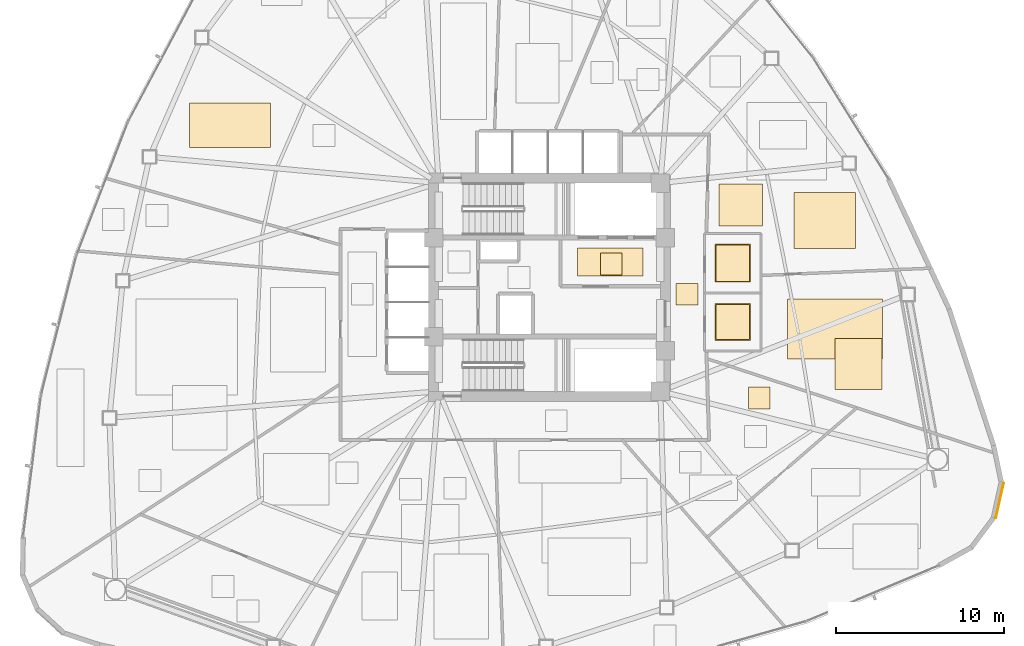
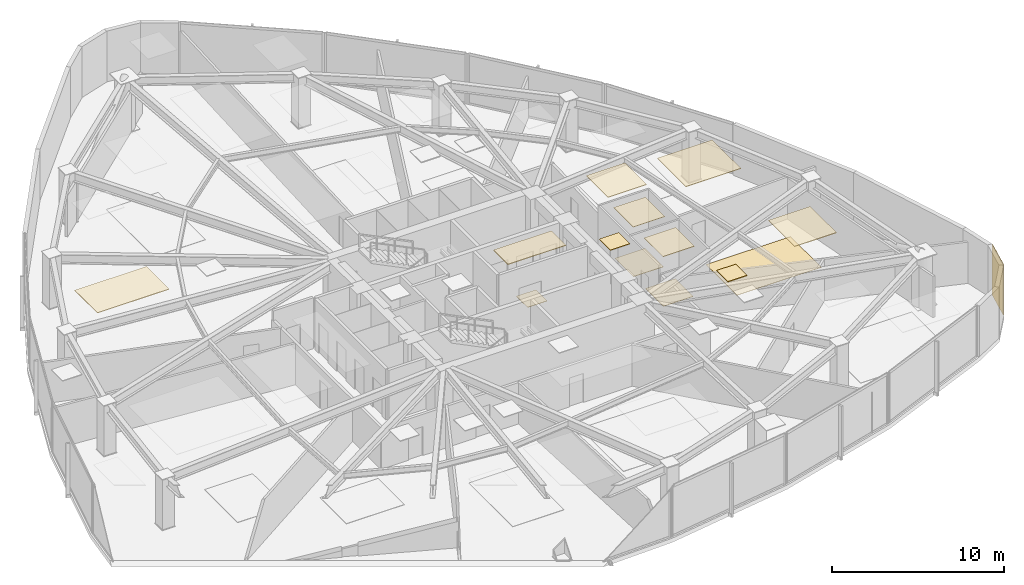
# One storey, part 17 of 18: 14 coverings.
"""IFC4 building model written with IfcOpenShell, lengths in metres."""

from ifc_helpers import new_model, si_unit, direction, frame, origin, origin_2d, place, context, subcontext, project, spatial, polyline, rectangle, outline, extrude, material, layer, layer_set, type_object, element, save


model = new_model("IFC4")

# Units and contexts
model_context = context("Model", 3, precision=1e-05, world=origin(), true_north=direction((0.0, 1.0)))
body_context = subcontext(model_context, "Body", "Model", "MODEL_VIEW")
ifc_project = project(units=[si_unit("LENGTHUNIT", "METRE"), si_unit("AREAUNIT", "SQUARE_METRE"), si_unit("VOLUMEUNIT", "CUBIC_METRE"), si_unit("PLANEANGLEUNIT", "RADIAN"), si_unit("MASSUNIT", "GRAM", prefix="KILO")], contexts=[model_context])

# Site, building, storey
site_placement = place(None, origin())
site = spatial("IfcSite", under=ifc_project, at=site_placement, CompositionType="ELEMENT")
building_placement = place(site_placement, origin())
building = spatial("IfcBuilding", under=site, at=building_placement, Name="Tavelor Broadcast Tower", CompositionType="ELEMENT")
storey_placement = place(building_placement, frame((0.0, 0.0, 47.10009765625)))
storey = spatial("IfcBuildingStorey", under=building, at=storey_placement, Name="L10", CompositionType="ELEMENT", Elevation=47.10009765625)

# Coverings
ifc_material_1 = material(Name="Copper-Bronze Anodized Aluminium", Category="aluminium")
ifc_layer_1 = layer(ifc_material_1, 0.044921875)
ifc_layer_set_1 = layer_set([ifc_layer_1], Name="Copper-Bronze Anodized Aluminium")
covering_type_1 = type_object("IfcCoveringType", Name="Anodised Bronze Linear Slatted Concourse Ceiling 45 mm", PredefinedType="CEILING", material=ifc_layer_set_1)
covering_1_placement = place(storey_placement, frame((0.0, 0.0, 3.554931640625)))
element("IfcCovering", 1, at=covering_1_placement, inside=storey, type_object=covering_type_1, Name="L10 Suspended Acoustic Ceiling 0343", PredefinedType="CEILING", context=body_context, shape_type="SweptSolid", body=[
    extrude(outline(polyline([(51.659912109375, 45.654296875), (55.55712890625, 45.654296875), (55.55712890625, 47.331787109375), (51.659912109375, 47.331787109375), (51.659912109375, 45.654296875)])), origin(), (0.0, 0.0, 1.0), 0.044921875),
])
ifc_layer_2 = layer(ifc_material_1, 0.050048828125)
ifc_layer_set_2 = layer_set([ifc_layer_2], Name="Copper-Bronze Anodized Aluminium")
covering_type_2 = type_object("IfcCoveringType", Name="Champagne-Bronze Corner Pier Metal Cladding 50 mm", PredefinedType="CLADDING", material=ifc_layer_set_2)
covering_2_placement = place(storey_placement, frame((76.8037109375, 32.2900390625, 0.019775390625), z_axis=(0.0, 0.0, 1.0), x_axis=(0.215587552642, 0.976484514545, 0.0)))
element("IfcCovering", 2, at=covering_2_placement, inside=storey, type_object=covering_type_2, Name="L10 Champagne-Bronze Corner Cladding 23", PredefinedType="CLADDING", context=body_context, shape_type="SweptSolid", body=[
    extrude(rectangle(XDim=2.15087890625, YDim=0.050048828125, at=origin_2d()), origin(), (0.0, 0.0, 1.0), 3.56005859375),
])
ifc_material_2 = material(Name="Architectural Anodized Aluminium", Category="aluminium")
ifc_layer_3 = layer(ifc_material_2, 0.034912109375)
ifc_layer_set_3 = layer_set([ifc_layer_3], Name="Architectural Anodized Aluminium")
covering_type_3 = type_object("IfcCoveringType", Name="Demountable Metal Tile Corridor Ceiling 35 mm", PredefinedType="CEILING", material=ifc_layer_set_3)
covering_3_placement = place(storey_placement, frame((0.0, 0.0, 3.56494140625)))
element("IfcCovering", 3, at=covering_3_placement, inside=storey, type_object=covering_type_3, Name="L10 Suspended Acoustic Ceiling 0346", PredefinedType="CEILING", context=body_context, shape_type="SweptSolid", body=[
    extrude(outline(polyline([(57.5400390625, 43.925048828125), (58.840087890625, 43.925048828125), (58.840087890625, 45.22509765625), (57.5400390625, 45.22509765625), (57.5400390625, 43.925048828125)])), origin(), (0.0, 0.0, 1.0), 0.034912109375),
])
ifc_material_3 = material(Name="Acoustic Nylon Carpet Tile")
ifc_layer_4 = layer(ifc_material_3, 0.02001953125)
ifc_layer_set_4 = layer_set([ifc_layer_4], Name="Acoustic Nylon Carpet Tile")
covering_type_4 = type_object("IfcCoveringType", Name="Heavy-Duty Acoustic Broadcast Carpet Tile 20 mm", PredefinedType="FLOORING", material=ifc_layer_set_4)
covering_4_placement = place(storey_placement, origin())
element("IfcCovering", 4, at=covering_4_placement, inside=storey, type_object=covering_type_4, Name="L10 Broadcast Floor Finish 0133", PredefinedType="FLOORING", context=body_context, shape_type="SweptSolid", body=[
    extrude(outline(polyline([(64.165283203125, 40.72021484375), (69.82861328125, 40.72021484375), (69.82861328125, 44.306640625), (64.165283203125, 44.306640625), (64.165283203125, 40.72021484375)])), origin(), (0.0, 0.0, 1.0), 0.02001953125),
])
ifc_material_4 = material(Name="Honed Natural Limestone Tile", Category="masonry")
ifc_layer_5 = layer(ifc_material_4, 0.030029296875)
ifc_layer_set_5 = layer_set([ifc_layer_5], Name="Honed Natural Limestone Tile")
covering_type_5 = type_object("IfcCoveringType", Name="Honed Jerusalem Limestone Concourse Flooring 30 mm", PredefinedType="FLOORING", material=ifc_layer_set_5)
covering_5_placement = place(storey_placement, origin())
element("IfcCovering", 5, at=covering_5_placement, inside=storey, type_object=covering_type_5, Name="L10 Broadcast Floor Finish 0120", PredefinedType="FLOORING", context=body_context, shape_type="SweptSolid", body=[
    extrude(outline(polyline([(53.030029296875, 45.728515625), (54.330078125, 45.728515625), (54.330078125, 47.028564453125), (53.030029296875, 47.028564453125), (53.030029296875, 45.728515625)])), origin(), (0.0, 0.0, 1.0), 0.02978515625),
])
ifc_layer_6 = layer(ifc_material_2, 0.030029296875)
ifc_layer_set_6 = layer_set([ifc_layer_6], Name="Architectural Anodized Aluminium")
covering_type_6 = type_object("IfcCoveringType", Name="Moisture-Resistant Washroom Ceiling 30 mm", PredefinedType="CEILING", material=ifc_layer_set_6)
covering_6_placement = place(storey_placement, frame((0.0, 0.0, 3.56982421875)))
element("IfcCovering", 6, at=covering_6_placement, inside=storey, type_object=covering_type_6, Name="L10 Suspended Acoustic Ceiling 0349", PredefinedType="CEILING", context=body_context, shape_type="SweptSolid", body=[
    extrude(outline(polyline([(59.85302734375, 41.828369140625), (61.967041015625, 41.828369140625), (61.967041015625, 44.021484375), (59.85302734375, 44.021484375), (59.85302734375, 41.828369140625)])), origin(), (0.0, 0.0, 1.0), 0.030029296875),
])
covering_7_placement = place(storey_placement, frame((0.0, 0.0, 3.56982421875)))
element("IfcCovering", 7, at=covering_7_placement, inside=storey, type_object=covering_type_6, Name="L10 Suspended Acoustic Ceiling 0350", PredefinedType="CEILING", context=body_context, shape_type="SweptSolid", body=[
    extrude(outline(polyline([(59.85302734375, 45.29248046875), (61.967041015625, 45.29248046875), (61.967041015625, 47.5576171875), (59.85302734375, 47.5576171875), (59.85302734375, 45.29248046875)])), origin(), (0.0, 0.0, 1.0), 0.030029296875),
])
ifc_material_5 = material(Name="Slip-Resistant Porcelain Tile")
ifc_layer_7 = layer(ifc_material_5, 0.02490234375)
ifc_layer_set_7 = layer_set([ifc_layer_7], Name="Slip-Resistant Porcelain Tile")
covering_type_7 = type_object("IfcCoveringType", Name="Slip-Resistant Porcelain Wet-Area Floor Tile 25 mm", PredefinedType="FLOORING", material=ifc_layer_set_7)
covering_8_placement = place(storey_placement, origin())
element("IfcCovering", 8, at=covering_8_placement, inside=storey, type_object=covering_type_7, Name="L10 Broadcast Floor Finish 0122", PredefinedType="FLOORING", context=body_context, shape_type="SweptSolid", body=[
    extrude(outline(polyline([(59.91064453125, 41.885986328125), (61.909423828125, 41.885986328125), (61.909423828125, 43.964111328125), (59.91064453125, 43.964111328125), (59.91064453125, 41.885986328125)])), origin(), (0.0, 0.0, 1.0), 0.02490234375),
])
covering_9_placement = place(storey_placement, origin())
element("IfcCovering", 9, at=covering_9_placement, inside=storey, type_object=covering_type_7, Name="L10 Broadcast Floor Finish 0123", PredefinedType="FLOORING", context=body_context, shape_type="SweptSolid", body=[
    extrude(outline(polyline([(59.91064453125, 45.35009765625), (61.909423828125, 45.35009765625), (61.909423828125, 47.5), (59.91064453125, 47.5), (59.91064453125, 45.35009765625)])), origin(), (0.0, 0.0, 1.0), 0.02490234375),
])
ifc_material_6 = material(Name="Acoustic Mineral Fibre Tile")
ifc_layer_8 = layer(ifc_material_6, 0.0400390625)
ifc_layer_set_8 = layer_set([ifc_layer_8], Name="Acoustic Mineral Fibre Tile")
covering_type_8 = type_object("IfcCoveringType", Name="Suspended Acoustic Mineral-Fibre Office Ceiling 40 mm", PredefinedType="CEILING", material=ifc_layer_set_8)
covering_10_placement = place(storey_placement, frame((0.0, 0.0, 3.559814453125)))
element("IfcCovering", 10, at=covering_10_placement, inside=storey, type_object=covering_type_8, Name="L10 Suspended Acoustic Ceiling 0369", PredefinedType="CEILING", context=body_context, shape_type="SweptSolid", body=[
    extrude(outline(polyline([(28.5634765625, 53.326416015625), (33.379150390625, 53.326416015625), (33.379150390625, 55.96142578125), (28.5634765625, 55.96142578125), (28.5634765625, 53.326416015625)])), origin(), (0.0, 0.0, 1.0), 0.0400390625),
])
covering_11_placement = place(storey_placement, frame((0.0, 0.0, 3.559814453125)))
element("IfcCovering", 11, at=covering_11_placement, inside=storey, type_object=covering_type_8, Name="L10 Suspended Acoustic Ceiling 0378", PredefinedType="CEILING", context=body_context, shape_type="SweptSolid", body=[
    extrude(outline(polyline([(64.5498046875, 47.30810546875), (68.232666015625, 47.30810546875), (68.232666015625, 50.63037109375), (64.5498046875, 50.63037109375), (64.5498046875, 47.30810546875)])), origin(), (0.0, 0.0, 1.0), 0.0400390625),
])
covering_12_placement = place(storey_placement, frame((0.0, 0.0, 3.559814453125)))
element("IfcCovering", 12, at=covering_12_placement, inside=storey, type_object=covering_type_8, Name="L10 Suspended Acoustic Ceiling 0379", PredefinedType="CEILING", context=body_context, shape_type="SweptSolid", body=[
    extrude(outline(polyline([(60.096923828125, 48.63232421875), (62.6875, 48.63232421875), (62.6875, 51.151611328125), (60.096923828125, 51.151611328125), (60.096923828125, 48.63232421875)])), origin(), (0.0, 0.0, 1.0), 0.0400390625),
])
covering_13_placement = place(storey_placement, frame((0.0, 0.0, 3.559814453125)))
element("IfcCovering", 13, at=covering_13_placement, inside=storey, type_object=covering_type_8, Name="L10 Suspended Acoustic Ceiling 0381", PredefinedType="CEILING", context=body_context, shape_type="SweptSolid", body=[
    extrude(outline(polyline([(66.98828125, 38.902099609375), (69.79541015625, 38.902099609375), (69.79541015625, 41.954833984375), (66.98828125, 41.954833984375), (66.98828125, 38.902099609375)])), origin(), (0.0, 0.0, 1.0), 0.0400390625),
])
covering_14_placement = place(storey_placement, frame((0.0, 0.0, 3.559814453125)))
element("IfcCovering", 14, at=covering_14_placement, inside=storey, type_object=covering_type_8, Name="L10 Suspended Acoustic Ceiling 0385", PredefinedType="CEILING", context=body_context, shape_type="SweptSolid", body=[
    extrude(outline(polyline([(61.83837890625, 37.756591796875), (63.138427734375, 37.756591796875), (63.138427734375, 39.056396484375), (61.83837890625, 39.056396484375), (61.83837890625, 37.756591796875)])), origin(), (0.0, 0.0, 1.0), 0.0400390625),
])

save(model, "model.ifc")
